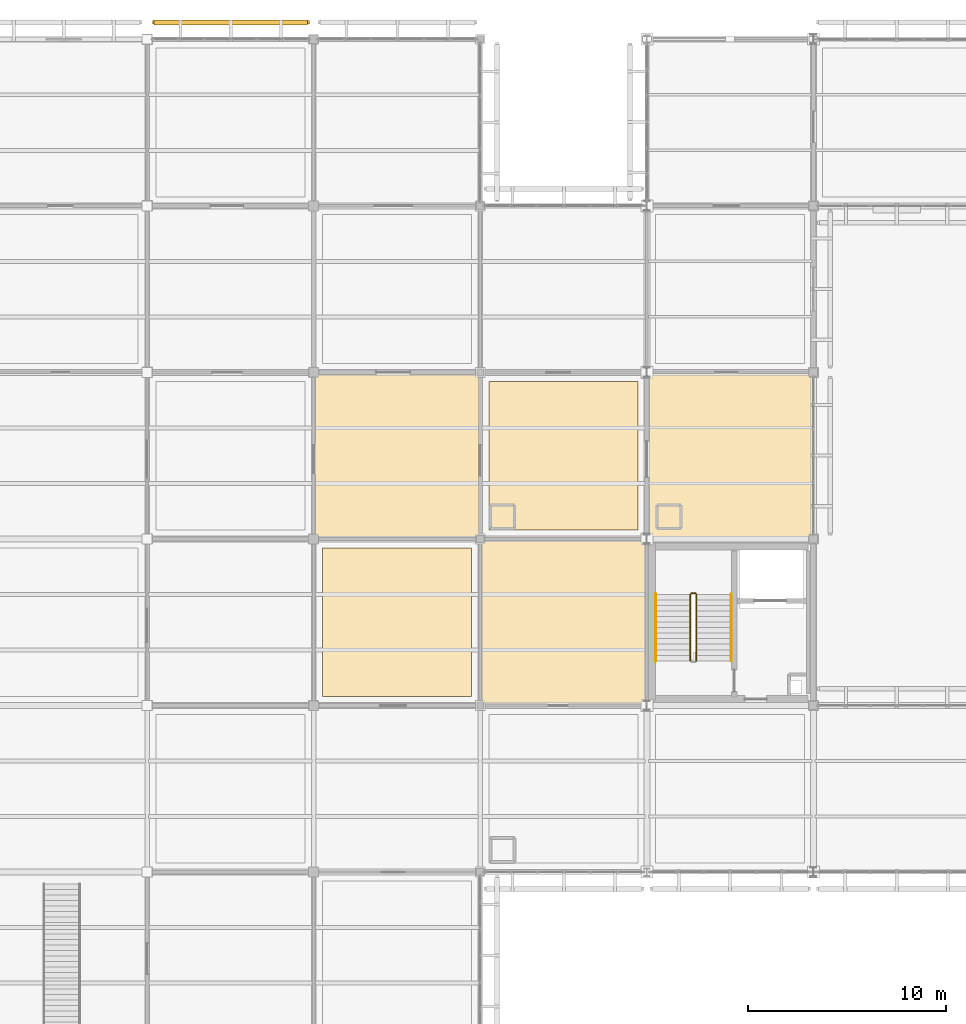
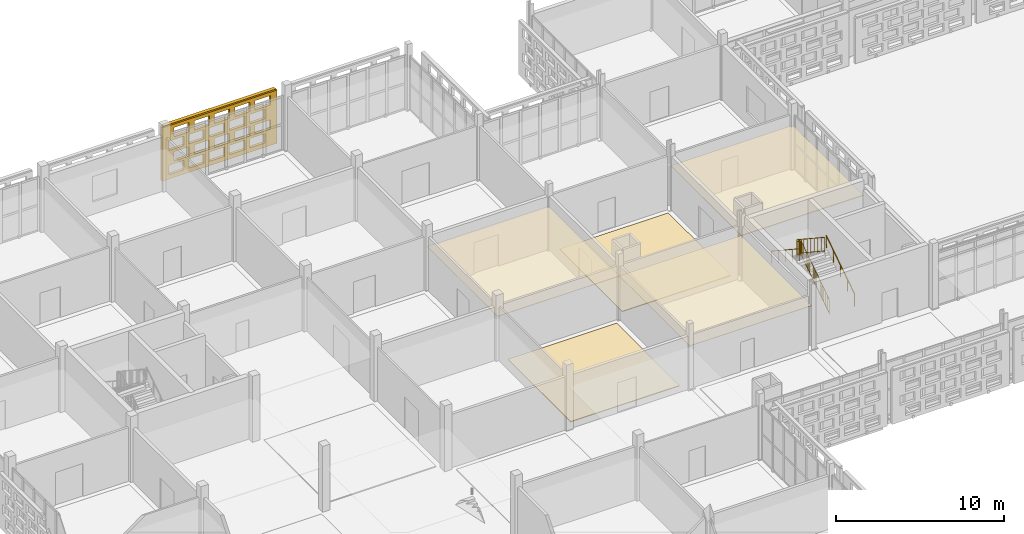
# One storey, part 165 of 203: 6 coverings, 5 railings, 1 shading device, 20 openings.
"""IFC4 building model written with IfcOpenShell, lengths in metres."""

from ifc_helpers import new_model, si_unit, direction, frame, frame_2d, origin, origin_2d, place, context, subcontext, project, spatial, rectangle, circle, extrude, material, layer, layer_set, type_object, element, save


model = new_model("IFC4")

# Units and contexts
model_context = context("Model", 3, precision=1e-05, world=origin(), true_north=direction((0.0, 1.0)))
body_context = subcontext(model_context, "Body", "Model", "MODEL_VIEW")
ifc_project = project(units=[si_unit("LENGTHUNIT", "METRE"), si_unit("AREAUNIT", "SQUARE_METRE"), si_unit("VOLUMEUNIT", "CUBIC_METRE"), si_unit("PLANEANGLEUNIT", "RADIAN"), si_unit("MASSUNIT", "GRAM", prefix="KILO")], contexts=[model_context])

# Site, building, storey
site_placement = place(None, origin())
site = spatial("IfcSite", under=ifc_project, at=site_placement, CompositionType="ELEMENT")
building_placement = place(site_placement, origin())
building = spatial("IfcBuilding", under=site, at=building_placement, Name="Varnapada Polytechnic", CompositionType="ELEMENT")
storey_placement = place(building_placement, frame((0.0, 0.0, 4.800048828125)))
storey = spatial("IfcBuildingStorey", under=building, at=storey_placement, Name="L01", CompositionType="ELEMENT", Elevation=4.800048828125)

# Coverings
ifc_material_1 = material(Name="End-Grain Timber Studio Block Flooring", Category="wood")
ifc_layer_1 = layer(ifc_material_1, 0.054931640625)
ifc_layer_set_1 = layer_set([ifc_layer_1], Name="End-Grain Timber Studio Block Flooring")
covering_type_1 = type_object("IfcCoveringType", Name="Floor Finish FLR-04", PredefinedType="FLOORING", material=ifc_layer_set_1)
for number, where, z_axis, x_axis, name in (
    (1, (37.800048828125, 96.60009765625, 0.0), (0.0, 0.0, 1.0), (1.0, 0.0, 0.0), "L01 floor finish panel (5,12)"),
    (2, (46.199951171875, 105.0, 0.0), (0.0, 0.0, 1.0), (1.0, 0.0, 0.0), "L01 floor finish panel (6,13)"),
):
    element("IfcCovering", number, at=place(storey_placement, frame(where, z_axis=z_axis, x_axis=x_axis)), inside=storey, type_object=covering_type_1, Name=name, PredefinedType="FLOORING", context=body_context, shape_type="SweptSolid", body=[
        extrude(rectangle(XDim=7.5, YDim=7.5, at=origin_2d()), origin(), (0.0, 0.0, 1.0), 0.054931640625),
    ])

# Railings
ifc_material_2 = material(Name="Brushed Stainless Steel 316", Category="steel")
railing_type_1 = type_object("IfcRailingType", Name="Stair Wall Handrail SHR-01", PredefinedType="HANDRAIL", material=ifc_material_2)
railing_1_placement = place(storey_placement, frame((54.64990234375, 94.64990234375, 0.1845703125)))
element("IfcRailing", 3, at=railing_1_placement, inside=storey, type_object=railing_type_1, Name="L01 ST-4 stair handrail 1", PredefinedType="HANDRAIL", context=body_context, shape_type="SweptSolid", body=[
    extrude(circle(Radius=0.02392578125, at=origin_2d()), frame((0.0, 0.0, 0.8759765625), z_axis=(0.0, 0.834876476806, 0.550437342915), x_axis=(-1.0, 0.0, 0.0)), (0.0, 0.0, 1.0), 4.024658203125),
    extrude(circle(Radius=0.02099609375, at=origin_2d()), origin(), (0.0, 0.0, 1.0), 0.851806640625),
    extrude(circle(Radius=0.02099609375, at=origin_2d()), frame((0.0, 0.840087890625, 0.5537109375)), (0.0, 0.0, 1.0), 0.851806640625),
    extrude(circle(Radius=0.02099609375, at=origin_2d()), frame((0.0, 1.68017578125, 1.107666015625)), (0.0, 0.0, 1.0), 0.851806640625),
    extrude(circle(Radius=0.02099609375, at=origin_2d()), frame((0.0, 2.52001953125, 1.66162109375)), (0.0, 0.0, 1.0), 0.851806640625),
    extrude(circle(Radius=0.02099609375, at=origin_2d()), frame((0.0, 3.360107421875, 2.21533203125)), (0.0, 0.0, 1.0), 0.851806640625),
])
railing_2_placement = place(storey_placement, frame((50.85009765625, 98.010009765625, 2.58447265625)))
element("IfcRailing", 4, at=railing_2_placement, inside=storey, type_object=railing_type_1, Name="L01 ST-4 stair handrail 2", PredefinedType="HANDRAIL", context=body_context, shape_type="SweptSolid", body=[
    extrude(circle(Radius=0.02392578125, at=origin_2d()), frame((0.0, 0.0, 0.8759765625), z_axis=(0.0, -0.834848600103, 0.550479622607), x_axis=(1.0, 0.0, 0.0)), (0.0, 0.0, 1.0), 4.02490234375),
    extrude(circle(Radius=0.02099609375, at=origin_2d()), origin(), (0.0, 0.0, 1.0), 0.851806640625),
    extrude(circle(Radius=0.02099609375, at=origin_2d()), frame((0.0, -0.840087890625, 0.553955078125)), (0.0, 0.0, 1.0), 0.851806640625),
    extrude(circle(Radius=0.02099609375, at=origin_2d()), frame((0.0, -1.68017578125, 1.10791015625)), (0.0, 0.0, 1.0), 0.851806640625),
    extrude(circle(Radius=0.02099609375, at=origin_2d()), frame((0.0, -2.52001953125, 1.66162109375)), (0.0, 0.0, 1.0), 0.851806640625),
    extrude(circle(Radius=0.02099609375, at=origin_2d()), frame((0.0, -3.360107421875, 2.215576171875)), (0.0, 0.0, 1.0), 0.851806640625),
])
railing_type_2 = type_object("IfcRailingType", Name="Stair Well Guard Rail SGR-01", PredefinedType="BALUSTRADE", material=ifc_material_2)
railing_3_placement = place(storey_placement, frame((52.89990234375, 94.64990234375, 0.1845703125)))
element("IfcRailing", 5, at=railing_3_placement, inside=storey, type_object=railing_type_2, Name="L01 ST-4 stair guard 1", PredefinedType="BALUSTRADE", context=body_context, shape_type="SweptSolid", body=[
    extrude(circle(Radius=0.02392578125, at=origin_2d()), frame((0.0, 0.0, 1.09619140625), z_axis=(0.0, 0.834876476806, 0.550437342915), x_axis=(-1.0, 0.0, 0.0)), (0.0, 0.0, 1.0), 4.024658203125),
    extrude(circle(Radius=0.02392578125, at=origin_2d()), frame((0.0, 0.0, 0.10009765625), z_axis=(0.0, 0.834876476806, 0.550437342915), x_axis=(-1.0, 0.0, 0.0)), (0.0, 0.0, 1.0), 4.024658203125),
    extrude(circle(Radius=0.02099609375, at=origin_2d()), origin(), (0.0, 0.0, 1.0), 1.072021484375),
    extrude(circle(Radius=0.02099609375, at=origin_2d()), frame((0.0, 0.840087890625, 0.5537109375)), (0.0, 0.0, 1.0), 1.072021484375),
    extrude(circle(Radius=0.02099609375, at=origin_2d()), frame((0.0, 1.68017578125, 1.107666015625)), (0.0, 0.0, 1.0), 1.072021484375),
    extrude(circle(Radius=0.02099609375, at=origin_2d()), frame((0.0, 2.52001953125, 1.66162109375)), (0.0, 0.0, 1.0), 1.072021484375),
    extrude(circle(Radius=0.02099609375, at=origin_2d()), frame((0.0, 3.360107421875, 2.21533203125)), (0.0, 0.0, 1.0), 1.072021484375),
    extrude(circle(Radius=0.010009765625, at=origin_2d()), frame((0.0, 0.2099609375, 0.238525390625)), (0.0, 0.0, 1.0), 0.971923828125),
    extrude(circle(Radius=0.010009765625, at=origin_2d()), frame((0.0, 0.419921875, 0.376953125)), (0.0, 0.0, 1.0), 0.971923828125),
    extrude(circle(Radius=0.010009765625, at=origin_2d()), frame((0.0, 0.630126953125, 0.515380859375)), (0.0, 0.0, 1.0), 0.971923828125),
    extrude(circle(Radius=0.010009765625, at=origin_2d()), frame((0.0, 0.840087890625, 0.65380859375)), (0.0, 0.0, 1.0), 0.971923828125),
    extrude(circle(Radius=0.010009765625, at=origin_2d()), frame((0.0, 1.050048828125, 0.79248046875)), (0.0, 0.0, 1.0), 0.971923828125),
    extrude(circle(Radius=0.010009765625, at=origin_2d()), frame((0.0, 1.260009765625, 0.930908203125)), (0.0, 0.0, 1.0), 0.971923828125),
    extrude(circle(Radius=0.010009765625, at=origin_2d()), frame((0.0, 1.469970703125, 1.0693359375)), (0.0, 0.0, 1.0), 0.971923828125),
    extrude(circle(Radius=0.010009765625, at=origin_2d()), frame((0.0, 1.68017578125, 1.207763671875)), (0.0, 0.0, 1.0), 0.971923828125),
    extrude(circle(Radius=0.010009765625, at=origin_2d()), frame((0.0, 1.89013671875, 1.34619140625)), (0.0, 0.0, 1.0), 0.971923828125),
    extrude(circle(Radius=0.010009765625, at=origin_2d()), frame((0.0, 2.10009765625, 1.484619140625)), (0.0, 0.0, 1.0), 0.971923828125),
    extrude(circle(Radius=0.010009765625, at=origin_2d()), frame((0.0, 2.31005859375, 1.623046875)), (0.0, 0.0, 1.0), 0.971923828125),
    extrude(circle(Radius=0.010009765625, at=origin_2d()), frame((0.0, 2.52001953125, 1.76171875)), (0.0, 0.0, 1.0), 0.971923828125),
    extrude(circle(Radius=0.010009765625, at=origin_2d()), frame((0.0, 2.72998046875, 1.900146484375)), (0.0, 0.0, 1.0), 0.971923828125),
    extrude(circle(Radius=0.010009765625, at=origin_2d()), frame((0.0, 2.940185546875, 2.03857421875)), (0.0, 0.0, 1.0), 0.971923828125),
    extrude(circle(Radius=0.010009765625, at=origin_2d()), frame((0.0, 3.150146484375, 2.177001953125)), (0.0, 0.0, 1.0), 0.971923828125),
])
railing_4_placement = place(storey_placement, frame((52.85009765625, 98.06005859375, 2.39990234375)))
element("IfcRailing", 6, at=railing_4_placement, inside=storey, type_object=railing_type_2, Name="L01 ST-4 stair guard 2", PredefinedType="BALUSTRADE", context=body_context, shape_type="SweptSolid", body=[
    extrude(circle(Radius=0.02392578125, at=origin_2d()), frame((0.0, 0.0, 1.09619140625), z_axis=(-1.0, 0.0, 0.0), x_axis=(0.0, -1.0, 0.0)), (0.0, 0.0, 1.0), 0.2001953125),
    extrude(circle(Radius=0.02392578125, at=origin_2d()), frame((0.0, 0.0, 0.10009765625), z_axis=(-1.0, 0.0, 0.0), x_axis=(0.0, -1.0, 0.0)), (0.0, 0.0, 1.0), 0.2001953125),
    extrude(circle(Radius=0.02099609375, at=origin_2d()), origin(), (0.0, 0.0, 1.0), 1.072021484375),
    extrude(circle(Radius=0.02099609375, at=origin_2d()), frame((-0.2001953125, 0.0, 0.0)), (0.0, 0.0, 1.0), 1.072021484375),
])
railing_5_placement = place(storey_placement, frame((52.60009765625, 98.010009765625, 2.58447265625)))
element("IfcRailing", 7, at=railing_5_placement, inside=storey, type_object=railing_type_2, Name="L01 ST-4 stair guard 3", PredefinedType="BALUSTRADE", context=body_context, shape_type="SweptSolid", body=[
    extrude(circle(Radius=0.02392578125, at=origin_2d()), frame((0.0, 0.0, 1.09619140625), z_axis=(0.0, -0.834848600103, 0.550479622607), x_axis=(1.0, 0.0, 0.0)), (0.0, 0.0, 1.0), 4.02490234375),
    extrude(circle(Radius=0.02392578125, at=origin_2d()), frame((0.0, 0.0, 0.10009765625), z_axis=(0.0, -0.834848600103, 0.550479622607), x_axis=(1.0, 0.0, 0.0)), (0.0, 0.0, 1.0), 4.02490234375),
    extrude(circle(Radius=0.02099609375, at=origin_2d()), origin(), (0.0, 0.0, 1.0), 1.072021484375),
    extrude(circle(Radius=0.02099609375, at=origin_2d()), frame((0.0, -0.840087890625, 0.553955078125)), (0.0, 0.0, 1.0), 1.072021484375),
    extrude(circle(Radius=0.02099609375, at=origin_2d()), frame((0.0, -1.68017578125, 1.10791015625)), (0.0, 0.0, 1.0), 1.072021484375),
    extrude(circle(Radius=0.02099609375, at=origin_2d()), frame((0.0, -2.52001953125, 1.66162109375)), (0.0, 0.0, 1.0), 1.072021484375),
    extrude(circle(Radius=0.02099609375, at=origin_2d()), frame((0.0, -3.360107421875, 2.215576171875)), (0.0, 0.0, 1.0), 1.072021484375),
    extrude(circle(Radius=0.010009765625, at=origin_2d()), frame((0.0, -0.2099609375, 0.238525390625)), (0.0, 0.0, 1.0), 0.971923828125),
    extrude(circle(Radius=0.010009765625, at=origin_2d()), frame((0.0, -0.419921875, 0.376953125)), (0.0, 0.0, 1.0), 0.971923828125),
    extrude(circle(Radius=0.010009765625, at=origin_2d()), frame((0.0, -0.630126953125, 0.515625)), (0.0, 0.0, 1.0), 0.971923828125),
    extrude(circle(Radius=0.010009765625, at=origin_2d()), frame((0.0, -0.840087890625, 0.654052734375)), (0.0, 0.0, 1.0), 0.971923828125),
    extrude(circle(Radius=0.010009765625, at=origin_2d()), frame((0.0, -1.050048828125, 0.79248046875)), (0.0, 0.0, 1.0), 0.971923828125),
    extrude(circle(Radius=0.010009765625, at=origin_2d()), frame((0.0, -1.260009765625, 0.930908203125)), (0.0, 0.0, 1.0), 0.971923828125),
    extrude(circle(Radius=0.010009765625, at=origin_2d()), frame((0.0, -1.469970703125, 1.0693359375)), (0.0, 0.0, 1.0), 0.971923828125),
    extrude(circle(Radius=0.010009765625, at=origin_2d()), frame((0.0, -1.68017578125, 1.2080078125)), (0.0, 0.0, 1.0), 0.971923828125),
    extrude(circle(Radius=0.010009765625, at=origin_2d()), frame((0.0, -1.89013671875, 1.346435546875)), (0.0, 0.0, 1.0), 0.971923828125),
    extrude(circle(Radius=0.010009765625, at=origin_2d()), frame((0.0, -2.10009765625, 1.48486328125)), (0.0, 0.0, 1.0), 0.971923828125),
    extrude(circle(Radius=0.010009765625, at=origin_2d()), frame((0.0, -2.31005859375, 1.623291015625)), (0.0, 0.0, 1.0), 0.971923828125),
    extrude(circle(Radius=0.010009765625, at=origin_2d()), frame((0.0, -2.52001953125, 1.76171875)), (0.0, 0.0, 1.0), 0.971923828125),
    extrude(circle(Radius=0.010009765625, at=origin_2d()), frame((0.0, -2.72998046875, 1.900146484375)), (0.0, 0.0, 1.0), 0.971923828125),
    extrude(circle(Radius=0.010009765625, at=origin_2d()), frame((0.0, -2.940185546875, 2.038818359375)), (0.0, 0.0, 1.0), 0.971923828125),
    extrude(circle(Radius=0.010009765625, at=origin_2d()), frame((0.0, -3.150146484375, 2.17724609375)), (0.0, 0.0, 1.0), 0.971923828125),
])

# Coverings
ifc_material_3 = material(Name="Perforated Timber Slatted Baffle Ceiling", Category="wood")
ifc_layer_2 = layer(ifc_material_3, 0.050048828125)
ifc_layer_set_2 = layer_set([ifc_layer_2], Name="Perforated Timber Slatted Baffle Ceiling")
covering_type_2 = type_object("IfcCoveringType", Name="Suspended Ceiling CLG-02", PredefinedType="CEILING", material=ifc_layer_set_2)
covering_1_placement = place(storey_placement, frame((54.60009765625, 105.0, 3.02490234375), z_axis=(0.0, 0.0, 1.0), x_axis=(1.0, 0.0, 0.0)))
element("IfcCovering", 8, at=covering_1_placement, inside=storey, type_object=covering_type_2, Name="L01 suspended acoustic ceiling (7,13)", PredefinedType="CEILING", context=body_context, shape_type="SweptSolid", body=[
    extrude(rectangle(XDim=8.419921875, YDim=8.419921875, at=origin_2d()), origin(), (0.0, 0.0, 1.0), 0.050048828125),
])
ifc_material_4 = material(Name="Moisture-Resistant Aluminum Baffle Ceiling", Category="aluminium")
ifc_layer_3 = layer(ifc_material_4, 0.030029296875)
ifc_layer_set_3 = layer_set([ifc_layer_3], Name="Moisture-Resistant Aluminum Baffle Ceiling")
covering_type_3 = type_object("IfcCoveringType", Name="Suspended Ceiling CLG-03", PredefinedType="CEILING", material=ifc_layer_set_3)
covering_2_placement = place(storey_placement, frame((37.800048828125, 105.0, 3.03515625), z_axis=(0.0, 0.0, 1.0), x_axis=(1.0, 0.0, 0.0)))
element("IfcCovering", 9, at=covering_2_placement, inside=storey, type_object=covering_type_3, Name="L01 suspended acoustic ceiling (5,13)", PredefinedType="CEILING", context=body_context, shape_type="SweptSolid", body=[
    extrude(rectangle(XDim=8.419921875, YDim=8.419921875, at=origin_2d()), origin(), (0.0, 0.0, 1.0), 0.030029296875),
])
ifc_material_5 = material(Name="Cleanroom Laboratory Metal Pan Ceiling")
ifc_layer_4 = layer(ifc_material_5, 0.034912109375)
ifc_layer_set_4 = layer_set([ifc_layer_4], Name="Cleanroom Laboratory Metal Pan Ceiling")
covering_type_4 = type_object("IfcCoveringType", Name="Suspended Ceiling CLG-06", PredefinedType="CEILING", material=ifc_layer_set_4)
covering_3_placement = place(storey_placement, frame((46.199951171875, 96.60009765625, 3.03271484375), z_axis=(0.0, 0.0, 1.0), x_axis=(1.0, 0.0, 0.0)))
element("IfcCovering", 10, at=covering_3_placement, inside=storey, type_object=covering_type_4, Name="L01 suspended acoustic ceiling (6,12)", PredefinedType="CEILING", context=body_context, shape_type="SweptSolid", body=[
    extrude(rectangle(XDim=8.419921875, YDim=8.419921875, at=origin_2d()), origin(), (0.0, 0.0, 1.0), 0.034912109375),
])

# Covering, openings
ifc_material_6 = material(Name="Earth-toned architectural terracotta screen block", Category="masonry")
ifc_layer_5 = layer(ifc_material_6, 0.1201171875)
ifc_layer_set_5 = layer_set([ifc_layer_5], Name="Earth-toned architectural terracotta screen block")
covering_type_5 = type_object("IfcCoveringType", Name="Terracotta Screen Cladding CLD-01", PredefinedType="CLADDING", material=ifc_layer_set_5)
covering_4_placement = place(storey_placement, frame((25.4599609375, 126.85009765625, 0.0), z_axis=(0.0, 0.0, 1.0), x_axis=(1.0, 0.0, 0.0)))
covering_4 = element("IfcCovering", 11, at=covering_4_placement, inside=storey, type_object=covering_type_5, Name="L01 perforated terracotta block screen (27)", PredefinedType="CLADDING", context=body_context, shape_type="SweptSolid", body=[
    extrude(rectangle(XDim=7.919921875, YDim=0.179931640625, at=frame_2d((3.9599609375, 0.0))), origin(), (0.0, 0.0, 1.0), 3.919921875),
])
opening_1_placement = place(covering_4_placement, frame((0.4599609375, 0.0, 0.313720703125)))
element("IfcOpeningElement", 12, at=opening_1_placement, cuts=covering_4, Name="Screen perforation TBS-L01-026.1", PredefinedType="OPENING", context=body_context, shape_type="SweptSolid", body=[
    extrude(rectangle(XDim=1.0400390625, YDim=0.679931640625, at=frame_2d((0.52001953125, 0.33984375))), frame((0.0, 0.099853515625, 0.0), z_axis=(0.0, -1.0, 0.0), x_axis=(1.0, 0.0, 0.0)), (0.0, 0.0, 1.0), 0.199951171875),
])
opening_2_placement = place(covering_4_placement, frame((1.860107421875, 0.0, 0.313720703125)))
element("IfcOpeningElement", 13, at=opening_2_placement, cuts=covering_4, Name="Screen perforation TBS-L01-026.2", PredefinedType="OPENING", context=body_context, shape_type="SweptSolid", body=[
    extrude(rectangle(XDim=1.0400390625, YDim=0.679931640625, at=frame_2d((0.52001953125, 0.33984375))), frame((0.0, 0.099853515625, 0.0), z_axis=(0.0, -1.0, 0.0), x_axis=(1.0, 0.0, 0.0)), (0.0, 0.0, 1.0), 0.199951171875),
])
opening_3_placement = place(covering_4_placement, frame((3.260009765625, 0.0, 0.313720703125)))
element("IfcOpeningElement", 14, at=opening_3_placement, cuts=covering_4, Name="Screen perforation TBS-L01-026.3", PredefinedType="OPENING", context=body_context, shape_type="SweptSolid", body=[
    extrude(rectangle(XDim=1.0400390625, YDim=0.679931640625, at=frame_2d((0.52001953125, 0.33984375))), frame((0.0, 0.099853515625, 0.0), z_axis=(0.0, -1.0, 0.0), x_axis=(1.0, 0.0, 0.0)), (0.0, 0.0, 1.0), 0.199951171875),
])
opening_4_placement = place(covering_4_placement, frame((4.659912109375, 0.0, 0.313720703125)))
element("IfcOpeningElement", 15, at=opening_4_placement, cuts=covering_4, Name="Screen perforation TBS-L01-026.4", PredefinedType="OPENING", context=body_context, shape_type="SweptSolid", body=[
    extrude(rectangle(XDim=1.0400390625, YDim=0.679931640625, at=frame_2d((0.52001953125, 0.33984375))), frame((0.0, 0.099853515625, 0.0), z_axis=(0.0, -1.0, 0.0), x_axis=(1.0, 0.0, 0.0)), (0.0, 0.0, 1.0), 0.199951171875),
])
opening_5_placement = place(covering_4_placement, frame((6.06005859375, 0.0, 0.313720703125)))
element("IfcOpeningElement", 16, at=opening_5_placement, cuts=covering_4, Name="Screen perforation TBS-L01-026.5", PredefinedType="OPENING", context=body_context, shape_type="SweptSolid", body=[
    extrude(rectangle(XDim=1.0400390625, YDim=0.679931640625, at=frame_2d((0.52001953125, 0.33984375))), frame((0.0, 0.099853515625, 0.0), z_axis=(0.0, -1.0, 0.0), x_axis=(1.0, 0.0, 0.0)), (0.0, 0.0, 1.0), 0.199951171875),
])
opening_6_placement = place(covering_4_placement, frame((0.820068359375, 0.0, 1.195556640625)))
element("IfcOpeningElement", 17, at=opening_6_placement, cuts=covering_4, Name="Screen perforation TBS-L01-026.6", PredefinedType="OPENING", context=body_context, shape_type="SweptSolid", body=[
    extrude(rectangle(XDim=1.0400390625, YDim=0.679931640625, at=frame_2d((0.52001953125, 0.33984375))), frame((0.0, 0.099853515625, 0.0), z_axis=(0.0, -1.0, 0.0), x_axis=(1.0, 0.0, 0.0)), (0.0, 0.0, 1.0), 0.199951171875),
])
opening_7_placement = place(covering_4_placement, frame((2.219970703125, 0.0, 1.195556640625)))
element("IfcOpeningElement", 18, at=opening_7_placement, cuts=covering_4, Name="Screen perforation TBS-L01-026.7", PredefinedType="OPENING", context=body_context, shape_type="SweptSolid", body=[
    extrude(rectangle(XDim=1.0400390625, YDim=0.679931640625, at=frame_2d((0.52001953125, 0.33984375))), frame((0.0, 0.099853515625, 0.0), z_axis=(0.0, -1.0, 0.0), x_axis=(1.0, 0.0, 0.0)), (0.0, 0.0, 1.0), 0.199951171875),
])
opening_8_placement = place(covering_4_placement, frame((3.6201171875, 0.0, 1.195556640625)))
element("IfcOpeningElement", 19, at=opening_8_placement, cuts=covering_4, Name="Screen perforation TBS-L01-026.8", PredefinedType="OPENING", context=body_context, shape_type="SweptSolid", body=[
    extrude(rectangle(XDim=1.0400390625, YDim=0.679931640625, at=frame_2d((0.52001953125, 0.33984375))), frame((0.0, 0.099853515625, 0.0), z_axis=(0.0, -1.0, 0.0), x_axis=(1.0, 0.0, 0.0)), (0.0, 0.0, 1.0), 0.199951171875),
])
opening_9_placement = place(covering_4_placement, frame((5.02001953125, 0.0, 1.195556640625)))
element("IfcOpeningElement", 20, at=opening_9_placement, cuts=covering_4, Name="Screen perforation TBS-L01-026.9", PredefinedType="OPENING", context=body_context, shape_type="SweptSolid", body=[
    extrude(rectangle(XDim=1.0400390625, YDim=0.679931640625, at=frame_2d((0.52001953125, 0.33984375))), frame((0.0, 0.099853515625, 0.0), z_axis=(0.0, -1.0, 0.0), x_axis=(1.0, 0.0, 0.0)), (0.0, 0.0, 1.0), 0.199951171875),
])
opening_10_placement = place(covering_4_placement, frame((6.419921875, 0.0, 1.195556640625)))
element("IfcOpeningElement", 21, at=opening_10_placement, cuts=covering_4, Name="Screen perforation TBS-L01-026.10", PredefinedType="OPENING", context=body_context, shape_type="SweptSolid", body=[
    extrude(rectangle(XDim=1.0400390625, YDim=0.679931640625, at=frame_2d((0.52001953125, 0.33984375))), frame((0.0, 0.099853515625, 0.0), z_axis=(0.0, -1.0, 0.0), x_axis=(1.0, 0.0, 0.0)), (0.0, 0.0, 1.0), 0.199951171875),
])
opening_11_placement = place(covering_4_placement, frame((0.4599609375, 0.0, 2.07763671875)))
element("IfcOpeningElement", 22, at=opening_11_placement, cuts=covering_4, Name="Screen perforation TBS-L01-026.11", PredefinedType="OPENING", context=body_context, shape_type="SweptSolid", body=[
    extrude(rectangle(XDim=1.0400390625, YDim=0.679931640625, at=frame_2d((0.52001953125, 0.33984375))), frame((0.0, 0.099853515625, 0.0), z_axis=(0.0, -1.0, 0.0), x_axis=(1.0, 0.0, 0.0)), (0.0, 0.0, 1.0), 0.199951171875),
])
opening_12_placement = place(covering_4_placement, frame((1.860107421875, 0.0, 2.07763671875)))
element("IfcOpeningElement", 23, at=opening_12_placement, cuts=covering_4, Name="Screen perforation TBS-L01-026.12", PredefinedType="OPENING", context=body_context, shape_type="SweptSolid", body=[
    extrude(rectangle(XDim=1.0400390625, YDim=0.679931640625, at=frame_2d((0.52001953125, 0.33984375))), frame((0.0, 0.099853515625, 0.0), z_axis=(0.0, -1.0, 0.0), x_axis=(1.0, 0.0, 0.0)), (0.0, 0.0, 1.0), 0.199951171875),
])
opening_13_placement = place(covering_4_placement, frame((3.260009765625, 0.0, 2.07763671875)))
element("IfcOpeningElement", 24, at=opening_13_placement, cuts=covering_4, Name="Screen perforation TBS-L01-026.13", PredefinedType="OPENING", context=body_context, shape_type="SweptSolid", body=[
    extrude(rectangle(XDim=1.0400390625, YDim=0.679931640625, at=frame_2d((0.52001953125, 0.33984375))), frame((0.0, 0.099853515625, 0.0), z_axis=(0.0, -1.0, 0.0), x_axis=(1.0, 0.0, 0.0)), (0.0, 0.0, 1.0), 0.199951171875),
])
opening_14_placement = place(covering_4_placement, frame((4.659912109375, 0.0, 2.07763671875)))
element("IfcOpeningElement", 25, at=opening_14_placement, cuts=covering_4, Name="Screen perforation TBS-L01-026.14", PredefinedType="OPENING", context=body_context, shape_type="SweptSolid", body=[
    extrude(rectangle(XDim=1.0400390625, YDim=0.679931640625, at=frame_2d((0.52001953125, 0.33984375))), frame((0.0, 0.099853515625, 0.0), z_axis=(0.0, -1.0, 0.0), x_axis=(1.0, 0.0, 0.0)), (0.0, 0.0, 1.0), 0.199951171875),
])
opening_15_placement = place(covering_4_placement, frame((6.06005859375, 0.0, 2.07763671875)))
element("IfcOpeningElement", 26, at=opening_15_placement, cuts=covering_4, Name="Screen perforation TBS-L01-026.15", PredefinedType="OPENING", context=body_context, shape_type="SweptSolid", body=[
    extrude(rectangle(XDim=1.0400390625, YDim=0.679931640625, at=frame_2d((0.52001953125, 0.33984375))), frame((0.0, 0.099853515625, 0.0), z_axis=(0.0, -1.0, 0.0), x_axis=(1.0, 0.0, 0.0)), (0.0, 0.0, 1.0), 0.199951171875),
])
opening_16_placement = place(covering_4_placement, frame((0.820068359375, 0.0, 2.959716796875)))
element("IfcOpeningElement", 27, at=opening_16_placement, cuts=covering_4, Name="Screen perforation TBS-L01-026.16", PredefinedType="OPENING", context=body_context, shape_type="SweptSolid", body=[
    extrude(rectangle(XDim=1.0400390625, YDim=0.679931640625, at=frame_2d((0.52001953125, 0.33984375))), frame((0.0, 0.099853515625, 0.0), z_axis=(0.0, -1.0, 0.0), x_axis=(1.0, 0.0, 0.0)), (0.0, 0.0, 1.0), 0.199951171875),
])
opening_17_placement = place(covering_4_placement, frame((2.219970703125, 0.0, 2.959716796875)))
element("IfcOpeningElement", 28, at=opening_17_placement, cuts=covering_4, Name="Screen perforation TBS-L01-026.17", PredefinedType="OPENING", context=body_context, shape_type="SweptSolid", body=[
    extrude(rectangle(XDim=1.0400390625, YDim=0.679931640625, at=frame_2d((0.52001953125, 0.33984375))), frame((0.0, 0.099853515625, 0.0), z_axis=(0.0, -1.0, 0.0), x_axis=(1.0, 0.0, 0.0)), (0.0, 0.0, 1.0), 0.199951171875),
])
opening_18_placement = place(covering_4_placement, frame((3.6201171875, 0.0, 2.959716796875)))
element("IfcOpeningElement", 29, at=opening_18_placement, cuts=covering_4, Name="Screen perforation TBS-L01-026.18", PredefinedType="OPENING", context=body_context, shape_type="SweptSolid", body=[
    extrude(rectangle(XDim=1.0400390625, YDim=0.679931640625, at=frame_2d((0.52001953125, 0.33984375))), frame((0.0, 0.099853515625, 0.0), z_axis=(0.0, -1.0, 0.0), x_axis=(1.0, 0.0, 0.0)), (0.0, 0.0, 1.0), 0.199951171875),
])
opening_19_placement = place(covering_4_placement, frame((5.02001953125, 0.0, 2.959716796875)))
element("IfcOpeningElement", 30, at=opening_19_placement, cuts=covering_4, Name="Screen perforation TBS-L01-026.19", PredefinedType="OPENING", context=body_context, shape_type="SweptSolid", body=[
    extrude(rectangle(XDim=1.0400390625, YDim=0.679931640625, at=frame_2d((0.52001953125, 0.33984375))), frame((0.0, 0.099853515625, 0.0), z_axis=(0.0, -1.0, 0.0), x_axis=(1.0, 0.0, 0.0)), (0.0, 0.0, 1.0), 0.199951171875),
])
opening_20_placement = place(covering_4_placement, frame((6.419921875, 0.0, 2.959716796875)))
element("IfcOpeningElement", 31, at=opening_20_placement, cuts=covering_4, Name="Screen perforation TBS-L01-026.20", PredefinedType="OPENING", context=body_context, shape_type="SweptSolid", body=[
    extrude(rectangle(XDim=1.0400390625, YDim=0.679931640625, at=frame_2d((0.52001953125, 0.33984375))), frame((0.0, 0.099853515625, 0.0), z_axis=(0.0, -1.0, 0.0), x_axis=(1.0, 0.0, 0.0)), (0.0, 0.0, 1.0), 0.199951171875),
])

# Shading device
ifc_layer_6 = layer(ifc_material_6, 0.179931640625)
ifc_layer_set_6 = layer_set([ifc_layer_6], Name="Earth-toned architectural terracotta screen block")
shading_device_type = type_object("IfcShadingDeviceType", Name="Terracotta Screen SCR-02", PredefinedType="USERDEFINED", material=ifc_layer_set_6)
shading_device_placement = place(storey_placement, frame((29.419921875, 126.85009765625, 3.909912109375), z_axis=(0.0, 0.0, 1.0), x_axis=(1.0, 0.0, 0.0)))
element("IfcShadingDevice", 32, at=shading_device_placement, inside=storey, type_object=shading_device_type, Name="L01 perforated terracotta screen hood 108", ObjectType="SCREEN", PredefinedType="USERDEFINED", context=body_context, shape_type="SweptSolid", body=[
    extrude(rectangle(XDim=7.719970703125, YDim=0.239990234375, at=origin_2d()), origin(), (0.0, 0.0, 1.0), 0.10009765625),
])

save(model, "model.ifc")
